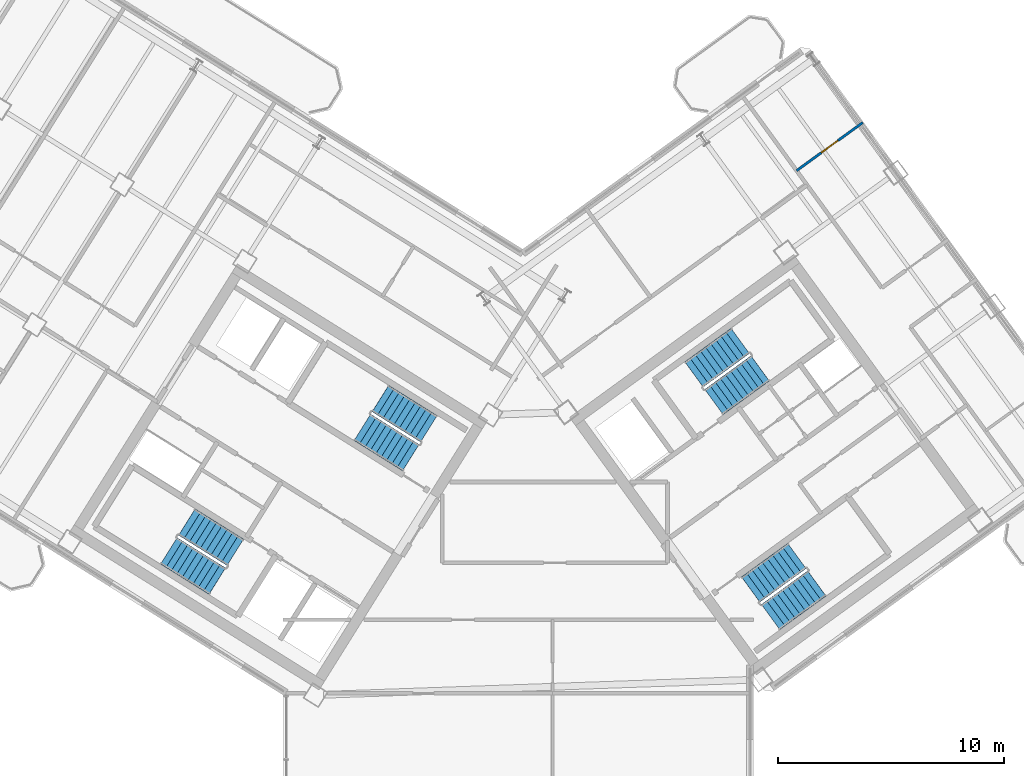
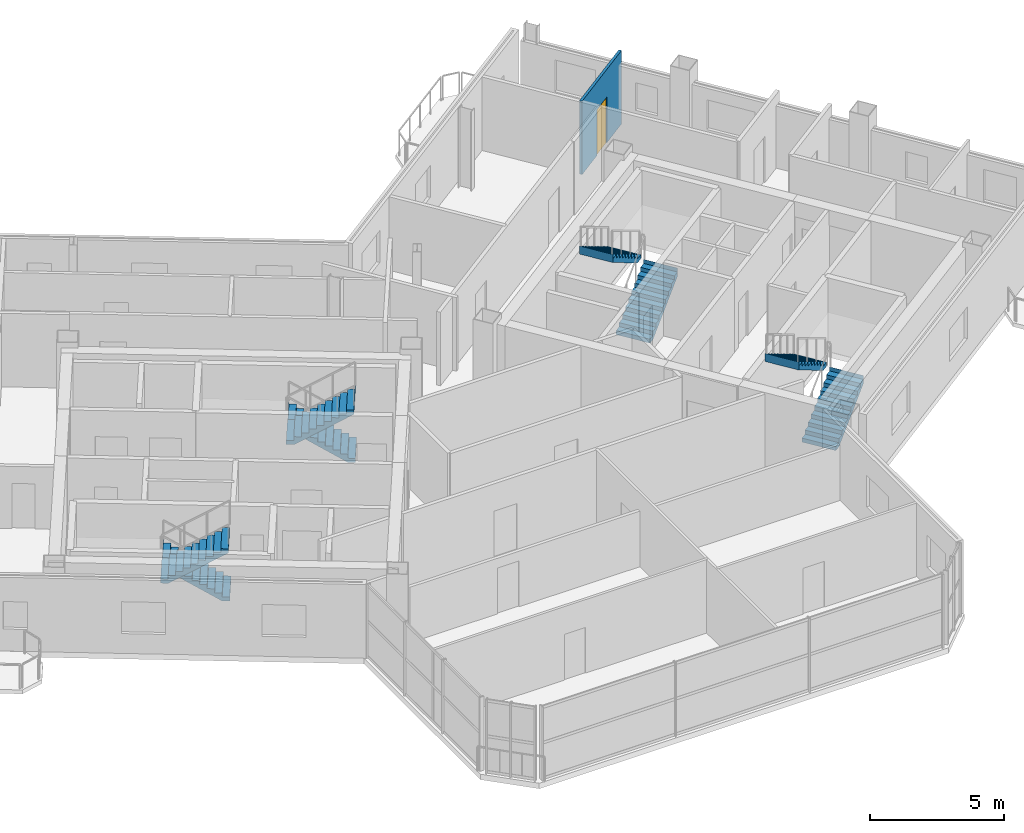
# One storey, part 16 of 21: 8 stair flights, 1 door, 1 wall, 1 opening, 4 elements without a shape of their own.
"""IFC4 building model written with IfcOpenShell, lengths in metres."""

import ifcopenshell
import ifcopenshell.guid

model = None  # the IFC model being written
_history = None  # IfcOwnerHistory: only IFC2X3 demands one
_inside = {}  # id of a spatial element -> (the spatial element, [elements in it])
_under = {}  # id of a project, library or spatial element -> (it, [spatial elements below it])
_declared = {}  # id of a project -> (the project, [libraries it declares])
_typed = {}  # id of a type object -> (the type object, [elements of that type])
_made_of = {}  # id of a material, layer set ... -> (it, [elements and type objects made of it])


def new_model(schema):
    """Start an empty IFC model of exactly this schema.

    Asked for "IFC4X3", IfcOpenShell would pick the latest addendum, in which some entities
    have other attributes; the version numbers below select the first issue.
    IFC2X3 requires an IfcOwnerHistory on every rooted entity: one is made here for all.
    """
    global model, _history
    if schema == "IFC4X3":
        model = ifcopenshell.file(schema_version=(4, 3, 0, 0))
    else:
        model = ifcopenshell.file(schema=schema)
    _inside.clear()
    _under.clear()
    _declared.clear()
    _typed.clear()
    _made_of.clear()
    _history = None
    if model.schema == "IFC2X3":
        org = make("IfcOrganization", Name="unknown")
        user = make(
            "IfcPersonAndOrganization",
            ThePerson=make("IfcPerson", FamilyName="unknown"),
            TheOrganization=org,
        )
        app = make(
            "IfcApplication",
            ApplicationDeveloper=org,
            Version="unknown",
            ApplicationFullName="unknown",
            ApplicationIdentifier="unknown",
        )
        _history = make(
            "IfcOwnerHistory",
            OwningUser=user,
            OwningApplication=app,
            ChangeAction="ADDED",
            CreationDate=0,
        )
    return model


def make(cls, **values):
    """One entity of the class cls with the attributes given. An attribute that is None is left unset."""
    return model.create_entity(
        cls, **{name: value for name, value in values.items() if value is not None}
    )


def rooted(cls, **values):
    """An entity with a GlobalId (a new one), such as an element, a storey or a relation."""
    return make(cls, GlobalId=ifcopenshell.guid.new(), OwnerHistory=_history, **values)


def si_unit(unit_type, name, prefix=None):
    """IfcSIUnit, for example si_unit("LENGTHUNIT", "METRE", prefix="MILLI")."""
    return make("IfcSIUnit", UnitType=unit_type, Prefix=prefix, Name=name)


def assignment(units):
    """IfcUnitAssignment: the units of a project."""
    return None if units is None else make("IfcUnitAssignment", Units=units)


def point(xyz):
    """IfcCartesianPoint."""
    return None if xyz is None else make("IfcCartesianPoint", Coordinates=xyz)


def direction(xyz):
    """IfcDirection."""
    return None if xyz is None else make("IfcDirection", DirectionRatios=xyz)


def frame(location, z_axis=None, x_axis=None):
    """IfcAxis2Placement3D, a coordinate frame: its origin and axes. An axis left out is left unset."""
    return make(
        "IfcAxis2Placement3D",
        Location=point(location),
        Axis=direction(z_axis),
        RefDirection=direction(x_axis),
    )


def frame_2d(location, x_axis=None):
    """IfcAxis2Placement2D, a coordinate frame in the plane: its origin and x axis."""
    return make(
        "IfcAxis2Placement2D", Location=point(location), RefDirection=direction(x_axis)
    )


def origin():
    """The frame at (0, 0, 0) with its axes left unset."""
    return frame((0.0, 0.0, 0.0))


def place(relative_to, where):
    """IfcLocalPlacement: puts the frame where relative to a parent placement (None: the world)."""
    return make(
        "IfcLocalPlacement", PlacementRelTo=relative_to, RelativePlacement=where
    )


def context(
    kind, dimensions, precision=None, world=None, true_north=None, identifier=None
):
    """IfcGeometricRepresentationContext, for example the 3D "Model" context."""
    return make(
        "IfcGeometricRepresentationContext",
        ContextIdentifier=identifier,
        ContextType=kind,
        CoordinateSpaceDimension=dimensions,
        Precision=precision,
        WorldCoordinateSystem=world,
        TrueNorth=true_north,
    )


def subcontext(parent, identifier, kind, view, scale=None):
    """IfcGeometricRepresentationSubContext, for example "Body" below "Model"."""
    return make(
        "IfcGeometricRepresentationSubContext",
        ContextIdentifier=identifier,
        ContextType=kind,
        ParentContext=parent,
        TargetScale=scale,
        TargetView=view,
    )


def project(units=None, contexts=None):
    """IfcProject with its units and contexts."""
    return rooted(
        "IfcProject",
        Name="project",
        RepresentationContexts=contexts,
        UnitsInContext=assignment(units),
    )


def spatial(cls, under=None, at=None, **own):
    """A site, building, storey or space (cls), placed at a placement, below another one or the project."""
    s = rooted(cls, ObjectPlacement=at, **own)
    if under is not None:
        _under.setdefault(under.id(), (under, []))[1].append(s)
    return s


def polyline(points):
    """IfcPolyline through the points."""
    return make("IfcPolyline", Points=[point(p) for p in points])


def profile(cls, at=None, kind="AREA", **sizes):
    """A parametric profile (cls). Its sizes go by their IFC names, for example OverallWidth=200.0."""
    return make(cls, ProfileType=kind, Position=at, **sizes)


def rectangle(**sizes):
    """IfcRectangleProfileDef."""
    return profile("IfcRectangleProfileDef", **sizes)


def outline(outer, holes=None, kind="AREA"):
    """IfcArbitraryClosedProfileDef: a profile drawn as a closed curve; with holes, ...WithVoids."""
    if holes is None:
        return make("IfcArbitraryClosedProfileDef", ProfileType=kind, OuterCurve=outer)
    return make(
        "IfcArbitraryProfileDefWithVoids",
        ProfileType=kind,
        OuterCurve=outer,
        InnerCurves=holes,
    )


def extrude(swept, where, along, depth):
    """IfcExtrudedAreaSolid: the profile swept, set in the frame where, extruded along a direction by depth."""
    return make(
        "IfcExtrudedAreaSolid",
        SweptArea=swept,
        Position=where,
        ExtrudedDirection=direction(along),
        Depth=depth,
    )


def shape(context_of_items, identifier, shape_type, items):
    """IfcShapeRepresentation: the items that make up one representation, for example the "Body"."""
    return make(
        "IfcShapeRepresentation",
        ContextOfItems=context_of_items,
        RepresentationIdentifier=identifier,
        RepresentationType=shape_type,
        Items=items,
    )


def source(mapping_origin, context_of_items, identifier, shape_type, items):
    """IfcRepresentationMap: a shape defined once, which mapped items show again and again."""
    return make(
        "IfcRepresentationMap",
        MappingOrigin=mapping_origin,
        MappedRepresentation=shape(context_of_items, identifier, shape_type, items),
    )


def transform(
    local_origin,
    x_axis=None,
    y_axis=None,
    z_axis=None,
    scale=None,
    scale2=None,
    scale3=None,
    uniform=True,
):
    """IfcCartesianTransformationOperator3D, or its non-uniform kind. x_axis, y_axis, z_axis: its Axis1, 2, 3."""
    if uniform:
        return make(
            "IfcCartesianTransformationOperator3D",
            Axis1=direction(x_axis),
            Axis2=direction(y_axis),
            LocalOrigin=point(local_origin),
            Scale=scale,
            Axis3=direction(z_axis),
        )
    return make(
        "IfcCartesianTransformationOperator3DnonUniform",
        Axis1=direction(x_axis),
        Axis2=direction(y_axis),
        LocalOrigin=point(local_origin),
        Scale=scale,
        Axis3=direction(z_axis),
        Scale2=scale2,
        Scale3=scale3,
    )


def mapped(mapping_source, mapping_target):
    """IfcMappedItem: shows the shape of a source again, moved by a transform."""
    return make(
        "IfcMappedItem", MappingSource=mapping_source, MappingTarget=mapping_target
    )


def material(Name=None, Category=None):
    """IfcMaterial."""
    return make("IfcMaterial", Name=Name, Category=Category)


def layer(
    of_material, thickness, ventilated=None, Name=None, Category=None, Priority=None
):
    """IfcMaterialLayer: one layer of a wall or slab, of a material (None: an air gap)."""
    return make(
        "IfcMaterialLayer",
        Material=of_material,
        LayerThickness=thickness,
        IsVentilated=ventilated,
        Name=Name,
        Category=Category,
        Priority=Priority,
    )


def layer_set(layers, Name=None):
    """IfcMaterialLayerSet."""
    return make("IfcMaterialLayerSet", MaterialLayers=layers, LayerSetName=Name)


def made_of(thing, what):
    """Note that an element or type object is made of a material, layer set ...; save() writes the relation."""
    if what is not None:
        _made_of.setdefault(what.id(), (what, []))[1].append(thing)
    return thing


def type_object(cls, material=None, **own):
    """A type object (cls), such as IfcWallType, which elements share."""
    return made_of(rooted(cls, **own), material)


def element(
    cls,
    number,
    at=None,
    inside=None,
    cuts=None,
    type_object=None,
    material=None,
    context=None,
    identifier="Body",
    shape_type=None,
    held_by="IfcProductDefinitionShape",
    body=None,
    shapes=None,
    **own,
):
    """One element of the class cls, such as IfcWall. Its Tag is "e" and its number.

    at: its placement. inside: the storey or other place that contains it. cuts: it is an
    opening in that element (IfcRelVoidsElement). A single representation is given by context,
    identifier, shape_type and body (its items); several are given by shapes. held_by: the class
    of the entity that holds the representations. save() writes the other relations.
    """
    e = rooted(cls, Tag="e%d" % number, ObjectPlacement=at, **own)
    if body is not None:
        shapes = [shape(context, identifier, shape_type, body)]
    if shapes is not None:
        e.Representation = make(held_by, Representations=shapes)
    if inside is not None:
        _inside.setdefault(inside.id(), (inside, []))[1].append(e)
    if cuts is not None:
        rooted(
            "IfcRelVoidsElement", RelatingBuildingElement=cuts, RelatedOpeningElement=e
        )
    if type_object is not None:
        _typed.setdefault(type_object.id(), (type_object, []))[1].append(e)
    return made_of(e, material)


def fill(opening, filler):
    """IfcRelFillsElement: the door or window that sits in an opening."""
    return rooted(
        "IfcRelFillsElement",
        RelatingOpeningElement=opening,
        RelatedBuildingElement=filler,
    )


def aggregate(whole, parts):
    """IfcRelAggregates: a whole, such as a stair, and the parts it consists of."""
    return rooted("IfcRelAggregates", RelatingObject=whole, RelatedObjects=parts)


def save(model, path):
    """Write the relations noted so far, then the file.

    IfcRelAggregates (storeys below a building ...), IfcRelContainedInSpatialStructure (elements
    in a storey), IfcRelDefinesByType, IfcRelAssociatesMaterial and IfcRelDeclares: one each for
    every whole, place, type object, material and project.
    """
    for whole, parts in _under.values():
        aggregate(whole, parts)
    for where, things in _inside.values():
        rooted(
            "IfcRelContainedInSpatialStructure",
            RelatedElements=things,
            RelatingStructure=where,
        )
    for kind, things in _typed.values():
        rooted("IfcRelDefinesByType", RelatedObjects=things, RelatingType=kind)
    for what, things in _made_of.values():
        rooted("IfcRelAssociatesMaterial", RelatedObjects=things, RelatingMaterial=what)
    for by, libraries in _declared.values():
        rooted("IfcRelDeclares", RelatingContext=by, RelatedDefinitions=libraries)
    model.write(path)


model = new_model("IFC4")

# Units and contexts
model_context = context("Model", 3, precision=1e-05, world=origin(), true_north=direction((0.0, 1.0)))
body_context = subcontext(model_context, "Body", "Model", "MODEL_VIEW")
ifc_project = project(units=[si_unit("LENGTHUNIT", "METRE"), si_unit("AREAUNIT", "SQUARE_METRE"), si_unit("VOLUMEUNIT", "CUBIC_METRE"), si_unit("PLANEANGLEUNIT", "RADIAN"), si_unit("MASSUNIT", "GRAM", prefix="KILO")], contexts=[model_context])

# Site, building, storey
site_placement = place(None, origin())
site = spatial("IfcSite", under=ifc_project, at=site_placement, CompositionType="ELEMENT")
building_placement = place(site_placement, origin())
building = spatial("IfcBuilding", under=site, at=building_placement, Name="Tlacorven Tower", CompositionType="ELEMENT")
storey_placement = place(building_placement, frame((0.0, 0.0, 214.800048828125)))
storey = spatial("IfcBuildingStorey", under=building, at=storey_placement, Name="L54", CompositionType="ELEMENT", Elevation=214.800048828125)

# Wall, opening, door
ifc_material_1 = material(Name="Gypsum plasterboard partition", Category="gypsum")
ifc_layer = layer(ifc_material_1, 0.110107421875)
ifc_layer_set = layer_set([ifc_layer], Name="Gypsum plasterboard partition")
wall_type = type_object("IfcWallType", Name="WL-INT-110", PredefinedType="PARTITIONING", material=ifc_layer_set)
wall_placement = place(storey_placement, frame((54.3037109375, 35.25927734375, 0.0), z_axis=(0.0, 0.0, 1.0), x_axis=(0.809005039917, 0.58780170584, 0.0)))
wall = element("IfcWall", 1, at=wall_placement, inside=storey, type_object=wall_type, Name="L54 partition 82", PredefinedType="PARTITIONING", context=body_context, shape_type="SweptSolid", body=[
    extrude(rectangle(XDim=3.610107421875, YDim=0.110107421875, at=frame_2d((1.80517578125, 0.0))), origin(), (0.0, 0.0, 1.0), 3.33984375),
])
opening_placement = place(wall_placement, frame((1.344970703125, 0.0, 0.0)))
opening = element("IfcOpeningElement", 2, at=opening_placement, cuts=wall, Name="Opening D12", PredefinedType="OPENING", context=body_context, shape_type="SweptSolid", body=[
    extrude(rectangle(XDim=0.919921875, YDim=2.080078125, at=frame_2d((0.4599609375, 1.0400390625))), frame((0.0, 0.06494140625, 0.0), z_axis=(0.0, -1.0, 0.0), x_axis=(1.0, 0.0, 0.0)), (0.0, 0.0, 1.0), 0.130126953125),
])
ifc_material_2 = material(Name="Powder-coated aluminium and timber door", Category="wood")
door_type = type_object("IfcDoorType", Name="DR-INT-ROOM-0920", OperationType="NOTDEFINED", PredefinedType="DOOR", material=ifc_material_2)
shared_shape_1 = source(origin(), body_context, "Body", "SweptSolid", [
    extrude(rectangle(XDim=0.919921875, YDim=2.080078125, at=frame_2d((0.4599609375, 1.0400390625))), frame((0.0, 0.02490234375, 0.0), z_axis=(0.0, -1.0, 0.0), x_axis=(1.0, 0.0, 0.0)), (0.0, 0.0, 1.0), 0.050048828125),
])
door_placement = place(opening_placement, origin())
door = element("IfcDoor", 3, at=door_placement, inside=storey, type_object=door_type, Name="L54 door 053", OperationType="SINGLE_SWING_RIGHT", OverallHeight=2.080078125, OverallWidth=0.919921875, PredefinedType="DOOR", context=body_context, shape_type="MappedRepresentation", body=[
    mapped(shared_shape_1, transform((0.0, 0.0, 0.0), scale=1.0)),
])
fill(opening, door)

# Stair, stair flights
ifc_material_3 = material(Name="Concrete C40/50", Category="concrete")
stair_type = type_object("IfcStairType", Name="ST-CORE-DLG", PredefinedType="HALF_TURN_STAIR", material=ifc_material_3)
stair_1_placement = place(storey_placement, origin())
stair_1 = element("IfcStair", 4, at=stair_1_placement, inside=storey, type_object=stair_type, Name="L54 Protected Exit Stair West 1", PredefinedType="HALF_TURN_STAIR")
stair_flight_type = type_object("IfcStairFlightType", Name="SFL-RC-1380", PredefinedType="STRAIGHT", material=ifc_material_3)
shared_shape_2 = source(origin(), body_context, "Body", "SweptSolid", [
    extrude(outline(polyline([(-0.0029296875, -0.0029296875), (-0.0029296875, 0.179931640625), (0.280029296875, 0.179931640625), (0.280029296875, 0.360107421875), (0.56005859375, 0.360107421875), (0.56005859375, 0.5400390625), (0.840087890625, 0.5400390625), (0.840087890625, 0.719970703125), (1.1201171875, 0.719970703125), (1.1201171875, 0.89990234375), (1.39990234375, 0.89990234375), (1.39990234375, 1.080078125), (1.679931640625, 1.080078125), (1.679931640625, 1.260009765625), (1.9599609375, 1.260009765625), (1.9599609375, 1.43994140625), (2.239990234375, 1.43994140625), (2.239990234375, 1.6201171875), (2.52001953125, 1.6201171875), (2.52001953125, 1.800048828125), (2.52294921875, 1.800048828125), (2.52294921875, 1.429931640625), (2.52001953125, 1.429931640625), (0.295654296875, 0.0), (0.295654296875, -0.0029296875), (-0.0029296875, -0.0029296875)])), frame((0.0, 0.68994140625, 0.0), z_axis=(0.0, -1.0, 0.0), x_axis=(1.0, 0.0, 0.0)), (0.0, 0.0, 1.0), 1.3798828125),
])
stair_flight_1_placement = place(storey_placement, frame((29.499755859375, 18.39453125, 0.0), z_axis=(0.0, 0.0, 1.0), x_axis=(-0.848048096156, 0.529919264233, 0.0)))
stair_flight_1 = element("IfcStairFlight", 5, at=stair_flight_1_placement, type_object=stair_flight_type, Name="ST-W1 flight 1", NumberOfRisers=10, NumberOfTreads=9, PredefinedType="STRAIGHT", RiserHeight=0.18, TreadLength=0.28, context=body_context, shape_type="MappedRepresentation", body=[
    mapped(shared_shape_2, transform((0.0, 0.0, 0.0), scale=1.0)),
])
stair_flight_2_placement = place(storey_placement, frame((26.56787109375, 18.4580078125, 1.800048828125), z_axis=(0.0, 0.0, 1.0), x_axis=(0.848048096156, -0.529919264233, 0.0)))
stair_flight_2 = element("IfcStairFlight", 6, at=stair_flight_2_placement, type_object=stair_flight_type, Name="ST-W1 flight 2", NumberOfRisers=10, NumberOfTreads=9, PredefinedType="STRAIGHT", RiserHeight=0.18, TreadLength=0.28, context=body_context, shape_type="MappedRepresentation", body=[
    mapped(shared_shape_2, transform((0.0, 0.0, 0.0), scale=1.0)),
])
aggregate(stair_1, [stair_flight_1, stair_flight_2])

stair_2_placement = place(storey_placement, origin())
stair_2 = element("IfcStair", 7, at=stair_2_placement, inside=storey, type_object=stair_type, Name="L54 Protected Exit Stair West 2", PredefinedType="HALF_TURN_STAIR")
stair_flight_3_placement = place(storey_placement, frame((38.051513671875, 23.852294921875, 0.0), z_axis=(0.0, 0.0, 1.0), x_axis=(-0.848048096156, 0.529919264233, 0.0)))
stair_flight_3 = element("IfcStairFlight", 8, at=stair_flight_3_placement, type_object=stair_flight_type, Name="ST-W2 flight 1", NumberOfRisers=10, NumberOfTreads=9, PredefinedType="STRAIGHT", RiserHeight=0.18, TreadLength=0.28, context=body_context, shape_type="MappedRepresentation", body=[
    mapped(shared_shape_2, transform((0.0, 0.0, 0.0), scale=1.0)),
])
stair_flight_4_placement = place(storey_placement, frame((35.119384765625, 23.91552734375, 1.800048828125), z_axis=(0.0, 0.0, 1.0), x_axis=(0.848048096156, -0.529919264233, 0.0)))
stair_flight_4 = element("IfcStairFlight", 9, at=stair_flight_4_placement, type_object=stair_flight_type, Name="ST-W2 flight 2", NumberOfRisers=10, NumberOfTreads=9, PredefinedType="STRAIGHT", RiserHeight=0.18, TreadLength=0.28, context=body_context, shape_type="MappedRepresentation", body=[
    mapped(shared_shape_2, transform((0.0, 0.0, 0.0), scale=1.0)),
])
aggregate(stair_2, [stair_flight_3, stair_flight_4])

stair_3_placement = place(storey_placement, origin())
stair_3 = element("IfcStair", 10, at=stair_3_placement, inside=storey, type_object=stair_type, Name="L54 Protected Exit Stair East 1", PredefinedType="HALF_TURN_STAIR")
stair_flight_5_placement = place(storey_placement, frame((50.6533203125, 25.0400390625, 0.0), z_axis=(0.0, 0.0, 1.0), x_axis=(0.809016994375, 0.587785252292, 0.0)))
stair_flight_5 = element("IfcStairFlight", 11, at=stair_flight_5_placement, type_object=stair_flight_type, Name="ST-E1 flight 1", NumberOfRisers=10, NumberOfTreads=9, PredefinedType="STRAIGHT", RiserHeight=0.18, TreadLength=0.28, context=body_context, shape_type="MappedRepresentation", body=[
    mapped(shared_shape_2, transform((0.0, 0.0, 0.0), scale=1.0)),
])
stair_flight_6_placement = place(storey_placement, frame((51.810546875, 27.734619140625, 1.800048828125), z_axis=(0.0, 0.0, 1.0), x_axis=(-0.809016994375, -0.587785252292, 0.0)))
stair_flight_6 = element("IfcStairFlight", 12, at=stair_flight_6_placement, type_object=stair_flight_type, Name="ST-E1 flight 2", NumberOfRisers=10, NumberOfTreads=9, PredefinedType="STRAIGHT", RiserHeight=0.18, TreadLength=0.28, context=body_context, shape_type="MappedRepresentation", body=[
    mapped(shared_shape_2, transform((0.0, 0.0, 0.0), scale=1.0)),
])
aggregate(stair_3, [stair_flight_5, stair_flight_6])

stair_4_placement = place(storey_placement, origin())
stair_4 = element("IfcStair", 13, at=stair_4_placement, inside=storey, type_object=stair_type, Name="L54 Protected Exit Stair East 2", PredefinedType="HALF_TURN_STAIR")
stair_flight_7_placement = place(storey_placement, frame((53.157470703125, 15.536865234375, 0.0), z_axis=(0.0, 0.0, 1.0), x_axis=(0.809016994375, 0.587785252292, 0.0)))
stair_flight_7 = element("IfcStairFlight", 14, at=stair_flight_7_placement, type_object=stair_flight_type, Name="ST-E2 flight 1", NumberOfRisers=10, NumberOfTreads=9, PredefinedType="STRAIGHT", RiserHeight=0.18, TreadLength=0.28, context=body_context, shape_type="MappedRepresentation", body=[
    mapped(shared_shape_2, transform((0.0, 0.0, 0.0), scale=1.0)),
])
stair_flight_8_placement = place(storey_placement, frame((54.314453125, 18.231689453125, 1.800048828125), z_axis=(0.0, 0.0, 1.0), x_axis=(-0.809016994375, -0.587785252292, 0.0)))
stair_flight_8 = element("IfcStairFlight", 15, at=stair_flight_8_placement, type_object=stair_flight_type, Name="ST-E2 flight 2", NumberOfRisers=10, NumberOfTreads=9, PredefinedType="STRAIGHT", RiserHeight=0.18, TreadLength=0.28, context=body_context, shape_type="MappedRepresentation", body=[
    mapped(shared_shape_2, transform((0.0, 0.0, 0.0), scale=1.0)),
])
aggregate(stair_4, [stair_flight_7, stair_flight_8])

save(model, "model.ifc")
